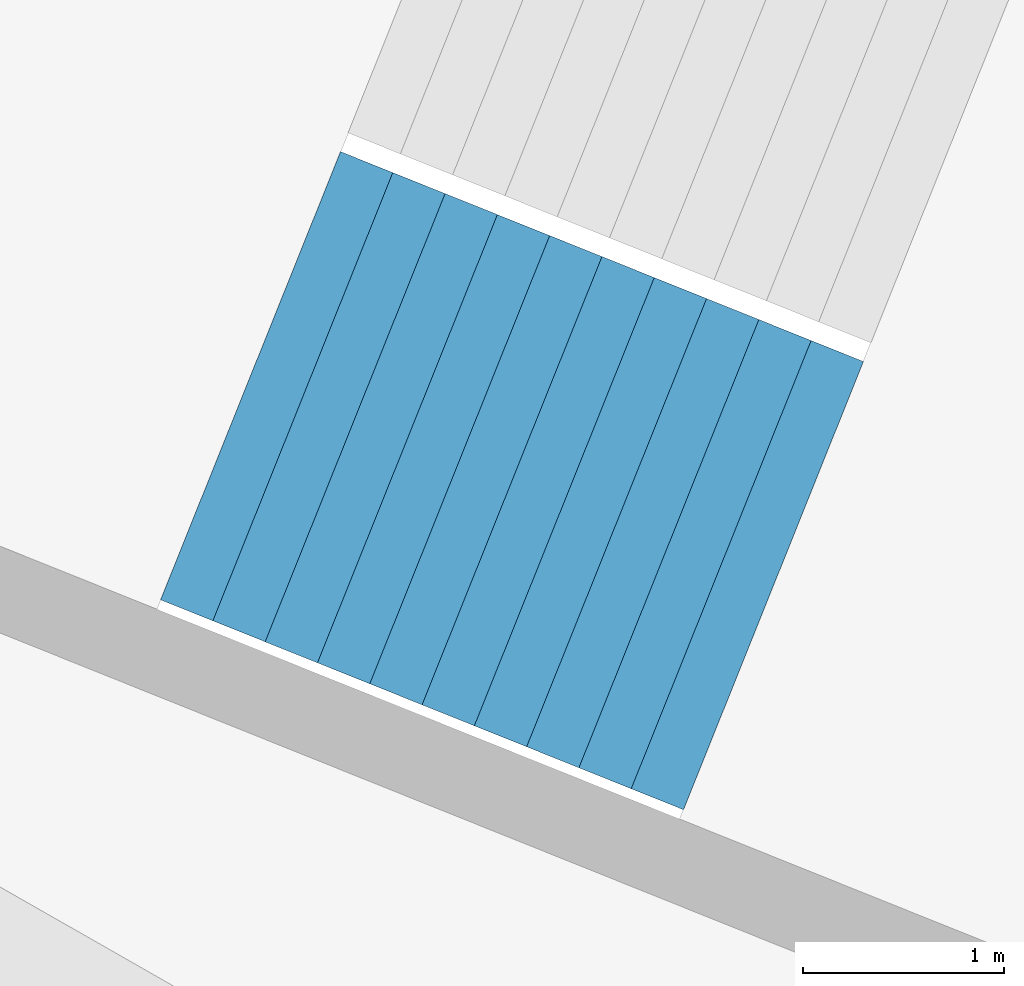
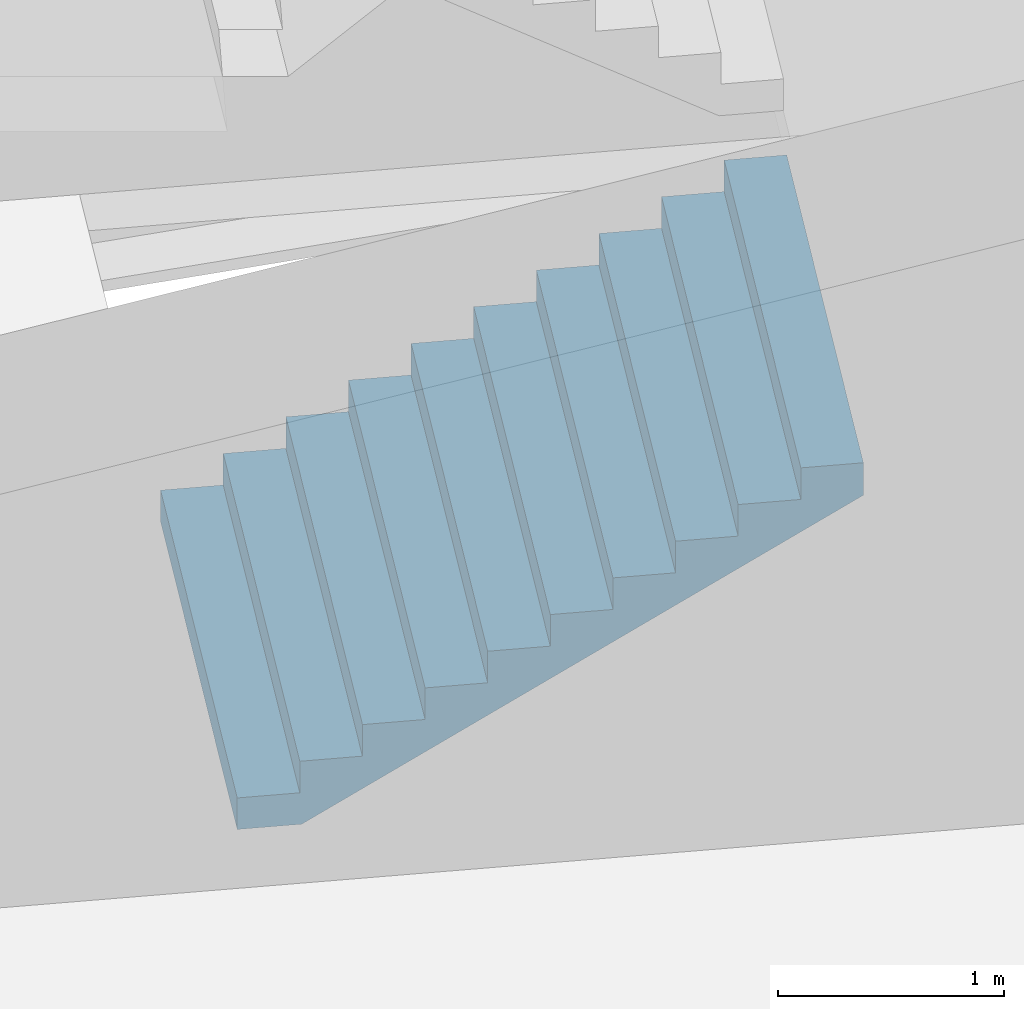
# One storey, part 49 of 73: 1 stair flight, 1 element without a shape of its own.
"""IFC4 building model written with IfcOpenShell, lengths in metres."""

import ifcopenshell
import ifcopenshell.guid

model = None  # the IFC model being written
_history = None  # IfcOwnerHistory: only IFC2X3 demands one
_inside = {}  # id of a spatial element -> (the spatial element, [elements in it])
_under = {}  # id of a project, library or spatial element -> (it, [spatial elements below it])
_declared = {}  # id of a project -> (the project, [libraries it declares])
_typed = {}  # id of a type object -> (the type object, [elements of that type])
_made_of = {}  # id of a material, layer set ... -> (it, [elements and type objects made of it])


def new_model(schema):
    """Start an empty IFC model of exactly this schema.

    Asked for "IFC4X3", IfcOpenShell would pick the latest addendum, in which some entities
    have other attributes; the version numbers below select the first issue.
    IFC2X3 requires an IfcOwnerHistory on every rooted entity: one is made here for all.
    """
    global model, _history
    if schema == "IFC4X3":
        model = ifcopenshell.file(schema_version=(4, 3, 0, 0))
    else:
        model = ifcopenshell.file(schema=schema)
    _inside.clear()
    _under.clear()
    _declared.clear()
    _typed.clear()
    _made_of.clear()
    _history = None
    if model.schema == "IFC2X3":
        org = make("IfcOrganization", Name="unknown")
        user = make(
            "IfcPersonAndOrganization",
            ThePerson=make("IfcPerson", FamilyName="unknown"),
            TheOrganization=org,
        )
        app = make(
            "IfcApplication",
            ApplicationDeveloper=org,
            Version="unknown",
            ApplicationFullName="unknown",
            ApplicationIdentifier="unknown",
        )
        _history = make(
            "IfcOwnerHistory",
            OwningUser=user,
            OwningApplication=app,
            ChangeAction="ADDED",
            CreationDate=0,
        )
    return model


def make(cls, **values):
    """One entity of the class cls with the attributes given. An attribute that is None is left unset."""
    return model.create_entity(
        cls, **{name: value for name, value in values.items() if value is not None}
    )


def rooted(cls, **values):
    """An entity with a GlobalId (a new one), such as an element, a storey or a relation."""
    return make(cls, GlobalId=ifcopenshell.guid.new(), OwnerHistory=_history, **values)


def si_unit(unit_type, name, prefix=None):
    """IfcSIUnit, for example si_unit("LENGTHUNIT", "METRE", prefix="MILLI")."""
    return make("IfcSIUnit", UnitType=unit_type, Prefix=prefix, Name=name)


def assignment(units):
    """IfcUnitAssignment: the units of a project."""
    return None if units is None else make("IfcUnitAssignment", Units=units)


def point(xyz):
    """IfcCartesianPoint."""
    return None if xyz is None else make("IfcCartesianPoint", Coordinates=xyz)


def direction(xyz):
    """IfcDirection."""
    return None if xyz is None else make("IfcDirection", DirectionRatios=xyz)


def frame(location, z_axis=None, x_axis=None):
    """IfcAxis2Placement3D, a coordinate frame: its origin and axes. An axis left out is left unset."""
    return make(
        "IfcAxis2Placement3D",
        Location=point(location),
        Axis=direction(z_axis),
        RefDirection=direction(x_axis),
    )


def origin():
    """The frame at (0, 0, 0) with its axes left unset."""
    return frame((0.0, 0.0, 0.0))


def place(relative_to, where):
    """IfcLocalPlacement: puts the frame where relative to a parent placement (None: the world)."""
    return make(
        "IfcLocalPlacement", PlacementRelTo=relative_to, RelativePlacement=where
    )


def context(
    kind, dimensions, precision=None, world=None, true_north=None, identifier=None
):
    """IfcGeometricRepresentationContext, for example the 3D "Model" context."""
    return make(
        "IfcGeometricRepresentationContext",
        ContextIdentifier=identifier,
        ContextType=kind,
        CoordinateSpaceDimension=dimensions,
        Precision=precision,
        WorldCoordinateSystem=world,
        TrueNorth=true_north,
    )


def subcontext(parent, identifier, kind, view, scale=None):
    """IfcGeometricRepresentationSubContext, for example "Body" below "Model"."""
    return make(
        "IfcGeometricRepresentationSubContext",
        ContextIdentifier=identifier,
        ContextType=kind,
        ParentContext=parent,
        TargetScale=scale,
        TargetView=view,
    )


def project(units=None, contexts=None):
    """IfcProject with its units and contexts."""
    return rooted(
        "IfcProject",
        Name="project",
        RepresentationContexts=contexts,
        UnitsInContext=assignment(units),
    )


def spatial(cls, under=None, at=None, **own):
    """A site, building, storey or space (cls), placed at a placement, below another one or the project."""
    s = rooted(cls, ObjectPlacement=at, **own)
    if under is not None:
        _under.setdefault(under.id(), (under, []))[1].append(s)
    return s


def point_list(points):
    """IfcCartesianPointList2D or 3D."""
    cls = (
        "IfcCartesianPointList2D" if len(points[0]) == 2 else "IfcCartesianPointList3D"
    )
    return make(cls, CoordList=points)


def triangles(points, corners, closed=None, point_numbers=None):
    """IfcTriangulatedFaceSet: each triangle names its three corners, points numbered from 1."""
    return make(
        "IfcTriangulatedFaceSet",
        Coordinates=point_list(points),
        Closed=closed,
        CoordIndex=corners,
        PnIndex=point_numbers,
    )


def shape(context_of_items, identifier, shape_type, items):
    """IfcShapeRepresentation: the items that make up one representation, for example the "Body"."""
    return make(
        "IfcShapeRepresentation",
        ContextOfItems=context_of_items,
        RepresentationIdentifier=identifier,
        RepresentationType=shape_type,
        Items=items,
    )


def material(Name=None, Category=None):
    """IfcMaterial."""
    return make("IfcMaterial", Name=Name, Category=Category)


def made_of(thing, what):
    """Note that an element or type object is made of a material, layer set ...; save() writes the relation."""
    if what is not None:
        _made_of.setdefault(what.id(), (what, []))[1].append(thing)
    return thing


def type_object(cls, material=None, **own):
    """A type object (cls), such as IfcWallType, which elements share."""
    return made_of(rooted(cls, **own), material)


def element(
    cls,
    number,
    at=None,
    inside=None,
    cuts=None,
    type_object=None,
    material=None,
    context=None,
    identifier="Body",
    shape_type=None,
    held_by="IfcProductDefinitionShape",
    body=None,
    shapes=None,
    **own,
):
    """One element of the class cls, such as IfcWall. Its Tag is "e" and its number.

    at: its placement. inside: the storey or other place that contains it. cuts: it is an
    opening in that element (IfcRelVoidsElement). A single representation is given by context,
    identifier, shape_type and body (its items); several are given by shapes. held_by: the class
    of the entity that holds the representations. save() writes the other relations.
    """
    e = rooted(cls, Tag="e%d" % number, ObjectPlacement=at, **own)
    if body is not None:
        shapes = [shape(context, identifier, shape_type, body)]
    if shapes is not None:
        e.Representation = make(held_by, Representations=shapes)
    if inside is not None:
        _inside.setdefault(inside.id(), (inside, []))[1].append(e)
    if cuts is not None:
        rooted(
            "IfcRelVoidsElement", RelatingBuildingElement=cuts, RelatedOpeningElement=e
        )
    if type_object is not None:
        _typed.setdefault(type_object.id(), (type_object, []))[1].append(e)
    return made_of(e, material)


def aggregate(whole, parts):
    """IfcRelAggregates: a whole, such as a stair, and the parts it consists of."""
    return rooted("IfcRelAggregates", RelatingObject=whole, RelatedObjects=parts)


def save(model, path):
    """Write the relations noted so far, then the file.

    IfcRelAggregates (storeys below a building ...), IfcRelContainedInSpatialStructure (elements
    in a storey), IfcRelDefinesByType, IfcRelAssociatesMaterial and IfcRelDeclares: one each for
    every whole, place, type object, material and project.
    """
    for whole, parts in _under.values():
        aggregate(whole, parts)
    for where, things in _inside.values():
        rooted(
            "IfcRelContainedInSpatialStructure",
            RelatedElements=things,
            RelatingStructure=where,
        )
    for kind, things in _typed.values():
        rooted("IfcRelDefinesByType", RelatedObjects=things, RelatingType=kind)
    for what, things in _made_of.values():
        rooted("IfcRelAssociatesMaterial", RelatedObjects=things, RelatingMaterial=what)
    for by, libraries in _declared.values():
        rooted("IfcRelDeclares", RelatingContext=by, RelatedDefinitions=libraries)
    model.write(path)


model = new_model("IFC4")

# Units and contexts
model_context = context("Model", 3, precision=1e-05, world=origin(), true_north=direction((0.0, 1.0)))
body_context = subcontext(model_context, "Body", "Model", "MODEL_VIEW")
ifc_project = project(units=[si_unit("LENGTHUNIT", "METRE"), si_unit("AREAUNIT", "SQUARE_METRE"), si_unit("VOLUMEUNIT", "CUBIC_METRE"), si_unit("PLANEANGLEUNIT", "RADIAN"), si_unit("MASSUNIT", "GRAM", prefix="KILO")], contexts=[model_context])

# Site, building, storey
site_placement = place(None, origin())
site = spatial("IfcSite", under=ifc_project, at=site_placement, CompositionType="ELEMENT")
building_placement = place(site_placement, origin())
building = spatial("IfcBuilding", under=site, at=building_placement, Name="Lantaw Convention Tower", CompositionType="ELEMENT")
storey_placement = place(building_placement, frame((0.0, 0.0, 14.5)))
storey = spatial("IfcBuildingStorey", under=building, at=storey_placement, Name="L02", CompositionType="ELEMENT", Elevation=14.5)

# Stair, stair flight
ifc_material = material(Name="Concrete C35/45", Category="concrete")
stair_type = type_object("IfcStairType", Name="Exit stair 2400 riser 170.45 in 4 flights", PredefinedType="HALF_TURN_STAIR", material=ifc_material)
stair_placement = place(storey_placement, origin())
stair = element("IfcStair", 1, at=stair_placement, inside=storey, type_object=stair_type, Name="Podium exit stair P12 L02", PredefinedType="HALF_TURN_STAIR")
stair_flight_type = type_object("IfcStairFlightType", Name="Stair flight 2400 riser 170.45", PredefinedType="STRAIGHT", material=ifc_material)
stair_flight_placement = place(storey_placement, frame((29.08642578125, -13.0234375, 0.0), z_axis=(0.0, 0.0, 1.0), x_axis=(0.928015818512, -0.372540790506, 0.0)))
stair_flight = element("IfcStairFlight", 2, at=stair_flight_placement, type_object=stair_flight_type, Name="P12 flight 1", NumberOfRisers=11, NumberOfTreads=10, PredefinedType="STRAIGHT", RiserHeight=0.170454545, TreadLength=0.28, context=body_context, shape_type="Tessellation", body=[
    triangles([(0.0, 1.199951171875, 0.0), (0.0, 1.199951171875, 0.170454545), (0.28, 1.199951171875, 0.0), (0.28, 1.199951171875, 0.170454545), (0.28, 1.199951171875, 0.34090909), (0.28827876332691904, 1.199951171875, 0.0), (0.28827876332691904, 1.199951171875, 0.34090909), (0.56, 1.199951171875, 0.16541471344266906), (0.56, 1.199951171875, 0.34090909), (0.56, 1.199951171875, 0.511363635), (0.8400000000000001, 1.199951171875, 0.335869258442669), (0.8400000000000001, 1.199951171875, 0.511363635), (0.8400000000000001, 1.199951171875, 0.68181818), (1.12, 1.199951171875, 0.506323803442669), (1.12, 1.199951171875, 0.68181818), (1.12, 1.199951171875, 0.8522727250000001), (1.4000000000000001, 1.199951171875, 0.676778348442669), (1.4000000000000001, 1.199951171875, 0.8522727250000001), (1.4000000000000001, 1.199951171875, 1.02272727), (1.6800000000000002, 1.199951171875, 0.847232893442669), (1.6800000000000002, 1.199951171875, 1.02272727), (1.6800000000000002, 1.199951171875, 1.193181815), (1.9600000000000002, 1.199951171875, 1.017687438442669), (1.9600000000000002, 1.199951171875, 1.193181815), (1.9600000000000002, 1.199951171875, 1.36363636), (2.24, 1.199951171875, 1.188141983442669), (2.24, 1.199951171875, 1.36363636), (2.24, 1.199951171875, 1.5340909050000002), (2.5200000000000005, 1.199951171875, 1.358596528442669), (2.5200000000000005, 1.199951171875, 1.5340909050000002), (2.5200000000000005, 1.199951171875, 1.7045454500000001), (2.8000000000000003, 1.199951171875, 1.529051073442669), (2.8000000000000003, 1.199951171875, 1.7045454500000001), (0.0, -1.199951171875, 0.0), (0.0, -1.199951171875, 0.170454545), (0.28, -1.199951171875, 0.0), (0.28, -1.199951171875, 0.170454545), (0.28, -1.199951171875, 0.34090909), (0.28827876332691904, -1.199951171875, 0.0), (0.28827876332691904, -1.199951171875, 0.34090909), (0.56, -1.199951171875, 0.16541471344266906), (0.56, -1.199951171875, 0.34090909), (0.56, -1.199951171875, 0.511363635), (0.8400000000000001, -1.199951171875, 0.335869258442669), (0.8400000000000001, -1.199951171875, 0.511363635), (0.8400000000000001, -1.199951171875, 0.68181818), (1.12, -1.199951171875, 0.506323803442669), (1.12, -1.199951171875, 0.68181818), (1.12, -1.199951171875, 0.8522727250000001), (1.4000000000000001, -1.199951171875, 0.676778348442669), (1.4000000000000001, -1.199951171875, 0.8522727250000001), (1.4000000000000001, -1.199951171875, 1.02272727), (1.6800000000000002, -1.199951171875, 0.847232893442669), (1.6800000000000002, -1.199951171875, 1.02272727), (1.6800000000000002, -1.199951171875, 1.193181815), (1.9600000000000002, -1.199951171875, 1.017687438442669), (1.9600000000000002, -1.199951171875, 1.193181815), (1.9600000000000002, -1.199951171875, 1.36363636), (2.24, -1.199951171875, 1.188141983442669), (2.24, -1.199951171875, 1.36363636), (2.24, -1.199951171875, 1.5340909050000002), (2.5200000000000005, -1.199951171875, 1.358596528442669), (2.5200000000000005, -1.199951171875, 1.5340909050000002), (2.5200000000000005, -1.199951171875, 1.7045454500000001), (2.8000000000000003, -1.199951171875, 1.529051073442669), (2.8000000000000003, -1.199951171875, 1.7045454500000001), (0.0, 0.239990234375, 0.170454545), (0.0, 0.239990234375, 0.0), (0.0, 0.1199951171875, 0.170454545), (0.0, 0.1199951171875, 0.0), (0.0, 0.0, 0.170454545), (0.0, 0.0, 0.0), (0.0, -0.1199951171875, 0.170454545), (0.0, -0.1199951171875, 0.0), (0.0, -0.239990234375, 0.170454545), (0.0, -0.239990234375, 0.0), (0.28, 0.239990234375, 0.34090909), (0.28, 0.239990234375, 0.170454545), (0.28, 0.1199951171875, 0.34090909), (0.28, 0.1199951171875, 0.170454545), (0.28, 0.0, 0.34090909), (0.28, 0.0, 0.170454545), (0.28, -0.1199951171875, 0.34090909), (0.28, -0.1199951171875, 0.170454545), (0.28, -0.239990234375, 0.34090909), (0.28, -0.239990234375, 0.170454545), (0.56, 0.239990234375, 0.511363635), (0.56, 0.239990234375, 0.34090909), (0.56, 0.1199951171875, 0.511363635), (0.56, 0.1199951171875, 0.34090909), (0.56, 0.0, 0.511363635), (0.56, 0.0, 0.34090909), (0.56, -0.1199951171875, 0.511363635), (0.56, -0.1199951171875, 0.34090909), (0.56, -0.239990234375, 0.511363635), (0.56, -0.239990234375, 0.34090909), (0.8400000000000001, 0.239990234375, 0.68181818), (0.8400000000000001, 0.239990234375, 0.511363635), (0.8400000000000001, 0.1199951171875, 0.68181818), (0.8400000000000001, 0.1199951171875, 0.511363635), (0.8400000000000001, 0.0, 0.68181818), (0.8400000000000001, 0.0, 0.511363635), (0.8400000000000001, -0.1199951171875, 0.68181818), (0.8400000000000001, -0.1199951171875, 0.511363635), (0.8400000000000001, -0.239990234375, 0.68181818), (0.8400000000000001, -0.239990234375, 0.511363635), (1.12, 0.239990234375, 0.8522727250000001), (1.12, 0.239990234375, 0.68181818), (1.12, 0.1199951171875, 0.8522727250000001), (1.12, 0.1199951171875, 0.68181818), (1.12, 0.0, 0.8522727250000001), (1.12, 0.0, 0.68181818), (1.12, -0.1199951171875, 0.8522727250000001), (1.12, -0.1199951171875, 0.68181818), (1.12, -0.239990234375, 0.8522727250000001), (1.12, -0.239990234375, 0.68181818), (1.4000000000000001, 0.239990234375, 1.02272727), (1.4000000000000001, 0.239990234375, 0.8522727250000001), (1.4000000000000001, 0.1199951171875, 1.02272727), (1.4000000000000001, 0.1199951171875, 0.8522727250000001), (1.4000000000000001, 0.0, 1.02272727), (1.4000000000000001, 0.0, 0.8522727250000001), (1.4000000000000001, -0.1199951171875, 1.02272727), (1.4000000000000001, -0.1199951171875, 0.8522727250000001), (1.4000000000000001, -0.239990234375, 1.02272727), (1.4000000000000001, -0.239990234375, 0.8522727250000001), (1.6800000000000002, 0.239990234375, 1.193181815), (1.6800000000000002, 0.239990234375, 1.02272727), (1.6800000000000002, 0.1199951171875, 1.193181815), (1.6800000000000002, 0.1199951171875, 1.02272727), (1.6800000000000002, 0.0, 1.193181815), (1.6800000000000002, 0.0, 1.02272727), (1.6800000000000002, -0.1199951171875, 1.193181815), (1.6800000000000002, -0.1199951171875, 1.02272727), (1.6800000000000002, -0.239990234375, 1.193181815), (1.6800000000000002, -0.239990234375, 1.02272727), (1.9600000000000002, 0.239990234375, 1.36363636), (1.9600000000000002, 0.239990234375, 1.193181815), (1.9600000000000002, 0.1199951171875, 1.36363636), (1.9600000000000002, 0.1199951171875, 1.193181815), (1.9600000000000002, 0.0, 1.36363636), (1.9600000000000002, 0.0, 1.193181815), (1.9600000000000002, -0.1199951171875, 1.36363636), (1.9600000000000002, -0.1199951171875, 1.193181815), (1.9600000000000002, -0.239990234375, 1.36363636), (1.9600000000000002, -0.239990234375, 1.193181815), (2.24, 0.239990234375, 1.5340909050000002), (2.24, 0.239990234375, 1.36363636), (2.24, 0.1199951171875, 1.5340909050000002), (2.24, 0.1199951171875, 1.36363636), (2.24, 0.0, 1.5340909050000002), (2.24, 0.0, 1.36363636), (2.24, -0.1199951171875, 1.5340909050000002), (2.24, -0.1199951171875, 1.36363636), (2.24, -0.239990234375, 1.5340909050000002), (2.24, -0.239990234375, 1.36363636), (2.5200000000000005, 0.239990234375, 1.7045454500000001), (2.5200000000000005, 0.239990234375, 1.5340909050000002), (2.5200000000000005, 0.1199951171875, 1.7045454500000001), (2.5200000000000005, 0.1199951171875, 1.5340909050000002), (2.5200000000000005, 0.0, 1.7045454500000001), (2.5200000000000005, 0.0, 1.5340909050000002), (2.5200000000000005, -0.1199951171875, 1.7045454500000001), (2.5200000000000005, -0.1199951171875, 1.5340909050000002), (2.5200000000000005, -0.239990234375, 1.7045454500000001), (2.5200000000000005, -0.239990234375, 1.5340909050000002), (0.28827876332691904, 0.239990234375, 0.34090909), (0.28827876332691904, 0.1199951171875, 0.34090909), (0.28827876332691904, 0.0, 0.34090909), (0.28827876332691904, -0.1199951171875, 0.34090909), (0.28827876332691904, -0.239990234375, 0.34090909), (2.8000000000000003, 0.239990234375, 1.7045454500000001), (2.8000000000000003, 0.1199951171875, 1.7045454500000001), (2.8000000000000003, 0.0, 1.7045454500000001), (2.8000000000000003, -0.1199951171875, 1.7045454500000001), (2.8000000000000003, -0.239990234375, 1.7045454500000001), (2.8000000000000003, 0.239990234375, 1.5290510734426692), (2.8000000000000003, 0.1199951171875, 1.5290510734426692), (2.8000000000000003, 0.0, 1.5290510734426692), (2.8000000000000003, -0.1199951171875, 1.5290510734426692), (2.8000000000000003, -0.239990234375, 1.5290510734426692), (2.5200000000000005, 0.239990234375, 1.358596528442669), (2.5200000000000005, 0.1199951171875, 1.358596528442669), (2.5200000000000005, 0.0, 1.358596528442669), (2.5200000000000005, -0.1199951171875, 1.358596528442669), (2.5200000000000005, -0.239990234375, 1.358596528442669), (2.24, 0.239990234375, 1.188141983442669), (2.24, 0.1199951171875, 1.188141983442669), (2.24, 0.0, 1.188141983442669), (2.24, -0.1199951171875, 1.188141983442669), (2.24, -0.239990234375, 1.188141983442669), (1.9600000000000002, 0.239990234375, 1.017687438442669), (1.9600000000000002, 0.1199951171875, 1.017687438442669), (1.9600000000000002, 0.0, 1.017687438442669), (1.9600000000000002, -0.1199951171875, 1.017687438442669), (1.9600000000000002, -0.239990234375, 1.017687438442669), (1.6800000000000002, 0.239990234375, 0.847232893442669), (1.6800000000000002, 0.1199951171875, 0.847232893442669), (1.6800000000000002, 0.0, 0.847232893442669), (1.6800000000000002, -0.1199951171875, 0.847232893442669), (1.6800000000000002, -0.239990234375, 0.847232893442669), (1.4000000000000001, 0.239990234375, 0.676778348442669), (1.4000000000000001, 0.1199951171875, 0.676778348442669), (1.4000000000000001, 0.0, 0.676778348442669), (1.4000000000000001, -0.1199951171875, 0.676778348442669), (1.4000000000000001, -0.239990234375, 0.676778348442669), (1.12, 0.239990234375, 0.506323803442669), (1.12, 0.1199951171875, 0.506323803442669), (1.12, 0.0, 0.506323803442669), (1.12, -0.1199951171875, 0.506323803442669), (1.12, -0.239990234375, 0.506323803442669), (0.8400000000000001, 0.239990234375, 0.335869258442669), (0.8400000000000001, 0.1199951171875, 0.335869258442669), (0.8400000000000001, 0.0, 0.335869258442669), (0.8400000000000001, -0.1199951171875, 0.335869258442669), (0.8400000000000001, -0.239990234375, 0.335869258442669), (0.56, 0.239990234375, 0.16541471344266906), (0.56, 0.1199951171875, 0.16541471344266906), (0.56, 0.0, 0.16541471344266906), (0.56, -0.1199951171875, 0.16541471344266906), (0.56, -0.239990234375, 0.16541471344266906), (0.28827876332691904, 0.239990234375, 0.0), (0.28827876332691904, 0.1199951171875, 0.0), (0.28827876332691904, 0.0, 0.0), (0.28827876332691904, -0.1199951171875, 0.0), (0.28827876332691904, -0.239990234375, 0.0), (0.28, 0.239990234375, 0.0), (0.28, 0.1199951171875, 0.0), (0.28, 0.0, 0.0), (0.28, -0.1199951171875, 0.0), (0.28, -0.239990234375, 0.0)], [[1, 4, 3], [1, 2, 4], [3, 4, 6], [4, 7, 6], [4, 5, 7], [6, 9, 8], [6, 7, 9], [8, 9, 11], [9, 12, 11], [9, 10, 12], [11, 12, 14], [12, 15, 14], [12, 13, 15], [14, 15, 17], [15, 18, 17], [15, 16, 18], [17, 18, 20], [18, 21, 20], [18, 19, 21], [20, 21, 23], [21, 24, 23], [21, 22, 24], [23, 24, 26], [24, 27, 26], [24, 25, 27], [26, 27, 29], [27, 30, 29], [27, 28, 30], [29, 30, 32], [30, 33, 32], [30, 31, 33], [34, 36, 37], [34, 37, 35], [36, 39, 37], [37, 39, 40], [37, 40, 38], [39, 41, 42], [39, 42, 40], [41, 44, 42], [42, 44, 45], [42, 45, 43], [44, 47, 45], [45, 47, 48], [45, 48, 46], [47, 50, 48], [48, 50, 51], [48, 51, 49], [50, 53, 51], [51, 53, 54], [51, 54, 52], [53, 56, 54], [54, 56, 57], [54, 57, 55], [56, 59, 57], [57, 59, 60], [57, 60, 58], [59, 62, 60], [60, 62, 63], [60, 63, 61], [62, 65, 63], [63, 65, 66], [63, 66, 64], [1, 67, 2], [1, 68, 67], [68, 69, 67], [68, 70, 69], [70, 71, 69], [70, 72, 71], [72, 73, 71], [72, 74, 73], [74, 75, 73], [74, 76, 75], [76, 35, 75], [76, 34, 35], [4, 77, 5], [4, 78, 77], [78, 79, 77], [78, 80, 79], [80, 81, 79], [80, 82, 81], [82, 83, 81], [82, 84, 83], [84, 85, 83], [84, 86, 85], [86, 38, 85], [86, 37, 38], [9, 87, 10], [9, 88, 87], [88, 89, 87], [88, 90, 89], [90, 91, 89], [90, 92, 91], [92, 93, 91], [92, 94, 93], [94, 95, 93], [94, 96, 95], [96, 43, 95], [96, 42, 43], [12, 97, 13], [12, 98, 97], [98, 99, 97], [98, 100, 99], [100, 101, 99], [100, 102, 101], [102, 103, 101], [102, 104, 103], [104, 105, 103], [104, 106, 105], [106, 46, 105], [106, 45, 46], [15, 107, 16], [15, 108, 107], [108, 109, 107], [108, 110, 109], [110, 111, 109], [110, 112, 111], [112, 113, 111], [112, 114, 113], [114, 115, 113], [114, 116, 115], [116, 49, 115], [116, 48, 49], [18, 117, 19], [18, 118, 117], [118, 119, 117], [118, 120, 119], [120, 121, 119], [120, 122, 121], [122, 123, 121], [122, 124, 123], [124, 125, 123], [124, 126, 125], [126, 52, 125], [126, 51, 52], [21, 127, 22], [21, 128, 127], [128, 129, 127], [128, 130, 129], [130, 131, 129], [130, 132, 131], [132, 133, 131], [132, 134, 133], [134, 135, 133], [134, 136, 135], [136, 55, 135], [136, 54, 55], [24, 137, 25], [24, 138, 137], [138, 139, 137], [138, 140, 139], [140, 141, 139], [140, 142, 141], [142, 143, 141], [142, 144, 143], [144, 145, 143], [144, 146, 145], [146, 58, 145], [146, 57, 58], [27, 147, 28], [27, 148, 147], [148, 149, 147], [148, 150, 149], [150, 151, 149], [150, 152, 151], [152, 153, 151], [152, 154, 153], [154, 155, 153], [154, 156, 155], [156, 61, 155], [156, 60, 61], [30, 157, 31], [30, 158, 157], [158, 159, 157], [158, 160, 159], [160, 161, 159], [160, 162, 161], [162, 163, 161], [162, 164, 163], [164, 165, 163], [164, 166, 165], [166, 64, 165], [166, 63, 64], [2, 78, 4], [2, 67, 78], [67, 80, 78], [67, 69, 80], [69, 82, 80], [69, 71, 82], [71, 84, 82], [71, 73, 84], [73, 86, 84], [73, 75, 86], [75, 37, 86], [75, 35, 37], [5, 167, 7], [5, 77, 167], [77, 168, 167], [77, 79, 168], [79, 169, 168], [79, 81, 169], [81, 170, 169], [81, 83, 170], [83, 171, 170], [83, 85, 171], [85, 40, 171], [85, 38, 40], [7, 88, 9], [7, 167, 88], [167, 90, 88], [167, 168, 90], [168, 92, 90], [168, 169, 92], [169, 94, 92], [169, 170, 94], [170, 96, 94], [170, 171, 96], [171, 42, 96], [171, 40, 42], [10, 98, 12], [10, 87, 98], [87, 100, 98], [87, 89, 100], [89, 102, 100], [89, 91, 102], [91, 104, 102], [91, 93, 104], [93, 106, 104], [93, 95, 106], [95, 45, 106], [95, 43, 45], [13, 108, 15], [13, 97, 108], [97, 110, 108], [97, 99, 110], [99, 112, 110], [99, 101, 112], [101, 114, 112], [101, 103, 114], [103, 116, 114], [103, 105, 116], [105, 48, 116], [105, 46, 48], [16, 118, 18], [16, 107, 118], [107, 120, 118], [107, 109, 120], [109, 122, 120], [109, 111, 122], [111, 124, 122], [111, 113, 124], [113, 126, 124], [113, 115, 126], [115, 51, 126], [115, 49, 51], [19, 128, 21], [19, 117, 128], [117, 130, 128], [117, 119, 130], [119, 132, 130], [119, 121, 132], [121, 134, 132], [121, 123, 134], [123, 136, 134], [123, 125, 136], [125, 54, 136], [125, 52, 54], [22, 138, 24], [22, 127, 138], [127, 140, 138], [127, 129, 140], [129, 142, 140], [129, 131, 142], [131, 144, 142], [131, 133, 144], [133, 146, 144], [133, 135, 146], [135, 57, 146], [135, 55, 57], [25, 148, 27], [25, 137, 148], [137, 150, 148], [137, 139, 150], [139, 152, 150], [139, 141, 152], [141, 154, 152], [141, 143, 154], [143, 156, 154], [143, 145, 156], [145, 60, 156], [145, 58, 60], [28, 158, 30], [28, 147, 158], [147, 160, 158], [147, 149, 160], [149, 162, 160], [149, 151, 162], [151, 164, 162], [151, 153, 164], [153, 166, 164], [153, 155, 166], [155, 63, 166], [155, 61, 63], [31, 172, 33], [31, 157, 172], [157, 173, 172], [157, 159, 173], [159, 174, 173], [159, 161, 174], [161, 175, 174], [161, 163, 175], [163, 176, 175], [163, 165, 176], [165, 66, 176], [165, 64, 66], [33, 177, 32], [33, 172, 177], [172, 178, 177], [172, 173, 178], [173, 179, 178], [173, 174, 179], [174, 180, 179], [174, 175, 180], [175, 181, 180], [175, 176, 181], [176, 65, 181], [176, 66, 65], [32, 182, 29], [32, 177, 182], [177, 183, 182], [177, 178, 183], [178, 184, 183], [178, 179, 184], [179, 185, 184], [179, 180, 185], [180, 186, 185], [180, 181, 186], [181, 62, 186], [181, 65, 62], [29, 187, 26], [29, 182, 187], [182, 188, 187], [182, 183, 188], [183, 189, 188], [183, 184, 189], [184, 190, 189], [184, 185, 190], [185, 191, 190], [185, 186, 191], [186, 59, 191], [186, 62, 59], [26, 192, 23], [26, 187, 192], [187, 193, 192], [187, 188, 193], [188, 194, 193], [188, 189, 194], [189, 195, 194], [189, 190, 195], [190, 196, 195], [190, 191, 196], [191, 56, 196], [191, 59, 56], [23, 197, 20], [23, 192, 197], [192, 198, 197], [192, 193, 198], [193, 199, 198], [193, 194, 199], [194, 200, 199], [194, 195, 200], [195, 201, 200], [195, 196, 201], [196, 53, 201], [196, 56, 53], [20, 202, 17], [20, 197, 202], [197, 203, 202], [197, 198, 203], [198, 204, 203], [198, 199, 204], [199, 205, 204], [199, 200, 205], [200, 206, 205], [200, 201, 206], [201, 50, 206], [201, 53, 50], [17, 207, 14], [17, 202, 207], [202, 208, 207], [202, 203, 208], [203, 209, 208], [203, 204, 209], [204, 210, 209], [204, 205, 210], [205, 211, 210], [205, 206, 211], [206, 47, 211], [206, 50, 47], [14, 212, 11], [14, 207, 212], [207, 213, 212], [207, 208, 213], [208, 214, 213], [208, 209, 214], [209, 215, 214], [209, 210, 215], [210, 216, 215], [210, 211, 216], [211, 44, 216], [211, 47, 44], [11, 217, 8], [11, 212, 217], [212, 218, 217], [212, 213, 218], [213, 219, 218], [213, 214, 219], [214, 220, 219], [214, 215, 220], [215, 221, 220], [215, 216, 221], [216, 41, 221], [216, 44, 41], [8, 222, 6], [8, 217, 222], [217, 223, 222], [217, 218, 223], [218, 224, 223], [218, 219, 224], [219, 225, 224], [219, 220, 225], [220, 226, 225], [220, 221, 226], [221, 39, 226], [221, 41, 39], [6, 227, 3], [6, 222, 227], [222, 228, 227], [222, 223, 228], [223, 229, 228], [223, 224, 229], [224, 230, 229], [224, 225, 230], [225, 231, 230], [225, 226, 231], [226, 36, 231], [226, 39, 36], [3, 68, 1], [3, 227, 68], [227, 70, 68], [227, 228, 70], [228, 72, 70], [228, 229, 72], [229, 74, 72], [229, 230, 74], [230, 76, 74], [230, 231, 76], [231, 34, 76], [231, 36, 34]], closed=True),
])
aggregate(stair, [stair_flight])

save(model, "model.ifc")
